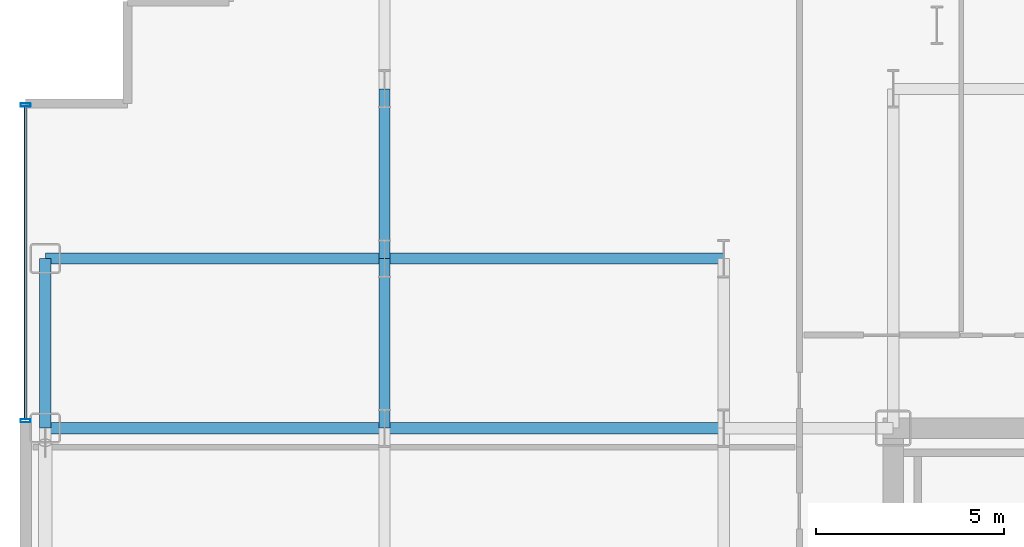
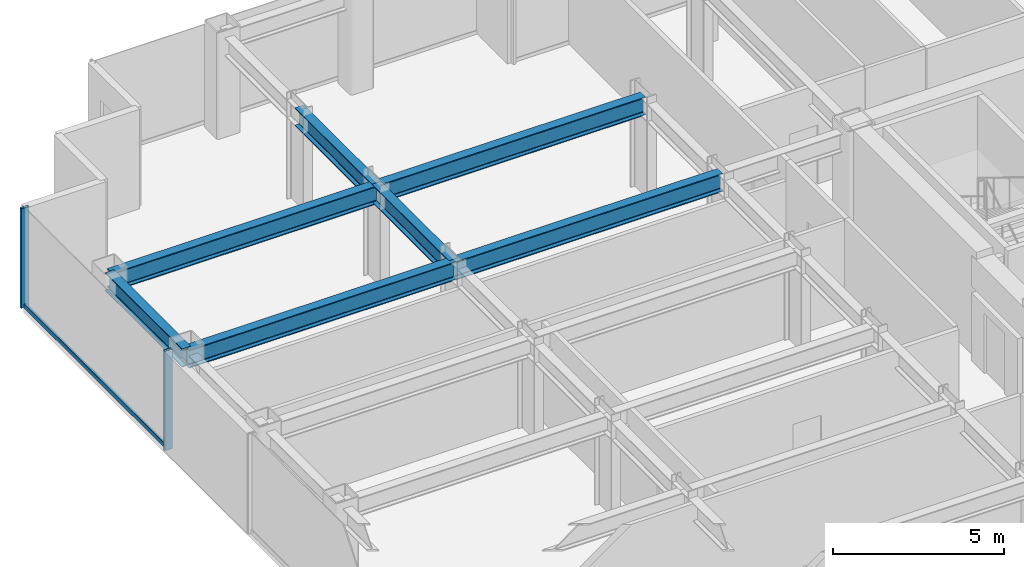
# One storey, part 11 of 29: 7 beams, 3 members, 1 element without a shape of its own.
"""IFC4 building model written with IfcOpenShell, lengths in metres."""

import ifcopenshell
import ifcopenshell.guid

model = None  # the IFC model being written
_history = None  # IfcOwnerHistory: only IFC2X3 demands one
_inside = {}  # id of a spatial element -> (the spatial element, [elements in it])
_under = {}  # id of a project, library or spatial element -> (it, [spatial elements below it])
_declared = {}  # id of a project -> (the project, [libraries it declares])
_typed = {}  # id of a type object -> (the type object, [elements of that type])
_made_of = {}  # id of a material, layer set ... -> (it, [elements and type objects made of it])


def new_model(schema):
    """Start an empty IFC model of exactly this schema.

    Asked for "IFC4X3", IfcOpenShell would pick the latest addendum, in which some entities
    have other attributes; the version numbers below select the first issue.
    IFC2X3 requires an IfcOwnerHistory on every rooted entity: one is made here for all.
    """
    global model, _history
    if schema == "IFC4X3":
        model = ifcopenshell.file(schema_version=(4, 3, 0, 0))
    else:
        model = ifcopenshell.file(schema=schema)
    _inside.clear()
    _under.clear()
    _declared.clear()
    _typed.clear()
    _made_of.clear()
    _history = None
    if model.schema == "IFC2X3":
        org = make("IfcOrganization", Name="unknown")
        user = make(
            "IfcPersonAndOrganization",
            ThePerson=make("IfcPerson", FamilyName="unknown"),
            TheOrganization=org,
        )
        app = make(
            "IfcApplication",
            ApplicationDeveloper=org,
            Version="unknown",
            ApplicationFullName="unknown",
            ApplicationIdentifier="unknown",
        )
        _history = make(
            "IfcOwnerHistory",
            OwningUser=user,
            OwningApplication=app,
            ChangeAction="ADDED",
            CreationDate=0,
        )
    return model


def make(cls, **values):
    """One entity of the class cls with the attributes given. An attribute that is None is left unset."""
    return model.create_entity(
        cls, **{name: value for name, value in values.items() if value is not None}
    )


def rooted(cls, **values):
    """An entity with a GlobalId (a new one), such as an element, a storey or a relation."""
    return make(cls, GlobalId=ifcopenshell.guid.new(), OwnerHistory=_history, **values)


def si_unit(unit_type, name, prefix=None):
    """IfcSIUnit, for example si_unit("LENGTHUNIT", "METRE", prefix="MILLI")."""
    return make("IfcSIUnit", UnitType=unit_type, Prefix=prefix, Name=name)


def assignment(units):
    """IfcUnitAssignment: the units of a project."""
    return None if units is None else make("IfcUnitAssignment", Units=units)


def point(xyz):
    """IfcCartesianPoint."""
    return None if xyz is None else make("IfcCartesianPoint", Coordinates=xyz)


def direction(xyz):
    """IfcDirection."""
    return None if xyz is None else make("IfcDirection", DirectionRatios=xyz)


def frame(location, z_axis=None, x_axis=None):
    """IfcAxis2Placement3D, a coordinate frame: its origin and axes. An axis left out is left unset."""
    return make(
        "IfcAxis2Placement3D",
        Location=point(location),
        Axis=direction(z_axis),
        RefDirection=direction(x_axis),
    )


def frame_2d(location, x_axis=None):
    """IfcAxis2Placement2D, a coordinate frame in the plane: its origin and x axis."""
    return make(
        "IfcAxis2Placement2D", Location=point(location), RefDirection=direction(x_axis)
    )


def origin():
    """The frame at (0, 0, 0) with its axes left unset."""
    return frame((0.0, 0.0, 0.0))


def origin_2d():
    """The frame at (0, 0) in the plane with its x axis left unset."""
    return frame_2d((0.0, 0.0))


def place(relative_to, where):
    """IfcLocalPlacement: puts the frame where relative to a parent placement (None: the world)."""
    return make(
        "IfcLocalPlacement", PlacementRelTo=relative_to, RelativePlacement=where
    )


def context(
    kind, dimensions, precision=None, world=None, true_north=None, identifier=None
):
    """IfcGeometricRepresentationContext, for example the 3D "Model" context."""
    return make(
        "IfcGeometricRepresentationContext",
        ContextIdentifier=identifier,
        ContextType=kind,
        CoordinateSpaceDimension=dimensions,
        Precision=precision,
        WorldCoordinateSystem=world,
        TrueNorth=true_north,
    )


def subcontext(parent, identifier, kind, view, scale=None):
    """IfcGeometricRepresentationSubContext, for example "Body" below "Model"."""
    return make(
        "IfcGeometricRepresentationSubContext",
        ContextIdentifier=identifier,
        ContextType=kind,
        ParentContext=parent,
        TargetScale=scale,
        TargetView=view,
    )


def project(units=None, contexts=None):
    """IfcProject with its units and contexts."""
    return rooted(
        "IfcProject",
        Name="project",
        RepresentationContexts=contexts,
        UnitsInContext=assignment(units),
    )


def spatial(cls, under=None, at=None, **own):
    """A site, building, storey or space (cls), placed at a placement, below another one or the project."""
    s = rooted(cls, ObjectPlacement=at, **own)
    if under is not None:
        _under.setdefault(under.id(), (under, []))[1].append(s)
    return s


def profile(cls, at=None, kind="AREA", **sizes):
    """A parametric profile (cls). Its sizes go by their IFC names, for example OverallWidth=200.0."""
    return make(cls, ProfileType=kind, Position=at, **sizes)


def hollow_rectangle(**sizes):
    """IfcRectangleHollowProfileDef."""
    return profile("IfcRectangleHollowProfileDef", **sizes)


def i_section(**sizes):
    """IfcIShapeProfileDef."""
    return profile("IfcIShapeProfileDef", **sizes)


def extrude(swept, where, along, depth):
    """IfcExtrudedAreaSolid: the profile swept, set in the frame where, extruded along a direction by depth."""
    return make(
        "IfcExtrudedAreaSolid",
        SweptArea=swept,
        Position=where,
        ExtrudedDirection=direction(along),
        Depth=depth,
    )


def shape(context_of_items, identifier, shape_type, items):
    """IfcShapeRepresentation: the items that make up one representation, for example the "Body"."""
    return make(
        "IfcShapeRepresentation",
        ContextOfItems=context_of_items,
        RepresentationIdentifier=identifier,
        RepresentationType=shape_type,
        Items=items,
    )


def source(mapping_origin, context_of_items, identifier, shape_type, items):
    """IfcRepresentationMap: a shape defined once, which mapped items show again and again."""
    return make(
        "IfcRepresentationMap",
        MappingOrigin=mapping_origin,
        MappedRepresentation=shape(context_of_items, identifier, shape_type, items),
    )


def transform(
    local_origin,
    x_axis=None,
    y_axis=None,
    z_axis=None,
    scale=None,
    scale2=None,
    scale3=None,
    uniform=True,
):
    """IfcCartesianTransformationOperator3D, or its non-uniform kind. x_axis, y_axis, z_axis: its Axis1, 2, 3."""
    if uniform:
        return make(
            "IfcCartesianTransformationOperator3D",
            Axis1=direction(x_axis),
            Axis2=direction(y_axis),
            LocalOrigin=point(local_origin),
            Scale=scale,
            Axis3=direction(z_axis),
        )
    return make(
        "IfcCartesianTransformationOperator3DnonUniform",
        Axis1=direction(x_axis),
        Axis2=direction(y_axis),
        LocalOrigin=point(local_origin),
        Scale=scale,
        Axis3=direction(z_axis),
        Scale2=scale2,
        Scale3=scale3,
    )


def mapped(mapping_source, mapping_target):
    """IfcMappedItem: shows the shape of a source again, moved by a transform."""
    return make(
        "IfcMappedItem", MappingSource=mapping_source, MappingTarget=mapping_target
    )


def material(Name=None, Category=None):
    """IfcMaterial."""
    return make("IfcMaterial", Name=Name, Category=Category)


def layer(
    of_material, thickness, ventilated=None, Name=None, Category=None, Priority=None
):
    """IfcMaterialLayer: one layer of a wall or slab, of a material (None: an air gap)."""
    return make(
        "IfcMaterialLayer",
        Material=of_material,
        LayerThickness=thickness,
        IsVentilated=ventilated,
        Name=Name,
        Category=Category,
        Priority=Priority,
    )


def layer_set(layers, Name=None):
    """IfcMaterialLayerSet."""
    return make("IfcMaterialLayerSet", MaterialLayers=layers, LayerSetName=Name)


def material_profile(
    of_material, cross_section, Name=None, Category=None, Priority=None
):
    """IfcMaterialProfile: a cross section and its material."""
    return make(
        "IfcMaterialProfile",
        Name=Name,
        Material=of_material,
        Profile=cross_section,
        Priority=Priority,
        Category=Category,
    )


def profile_set(profiles, Name=None, composite=None):
    """IfcMaterialProfileSet."""
    return make(
        "IfcMaterialProfileSet",
        Name=Name,
        MaterialProfiles=profiles,
        CompositeProfile=composite,
    )


def made_of(thing, what):
    """Note that an element or type object is made of a material, layer set ...; save() writes the relation."""
    if what is not None:
        _made_of.setdefault(what.id(), (what, []))[1].append(thing)
    return thing


def type_object(cls, material=None, **own):
    """A type object (cls), such as IfcWallType, which elements share."""
    return made_of(rooted(cls, **own), material)


def element(
    cls,
    number,
    at=None,
    inside=None,
    cuts=None,
    type_object=None,
    material=None,
    context=None,
    identifier="Body",
    shape_type=None,
    held_by="IfcProductDefinitionShape",
    body=None,
    shapes=None,
    **own,
):
    """One element of the class cls, such as IfcWall. Its Tag is "e" and its number.

    at: its placement. inside: the storey or other place that contains it. cuts: it is an
    opening in that element (IfcRelVoidsElement). A single representation is given by context,
    identifier, shape_type and body (its items); several are given by shapes. held_by: the class
    of the entity that holds the representations. save() writes the other relations.
    """
    e = rooted(cls, Tag="e%d" % number, ObjectPlacement=at, **own)
    if body is not None:
        shapes = [shape(context, identifier, shape_type, body)]
    if shapes is not None:
        e.Representation = make(held_by, Representations=shapes)
    if inside is not None:
        _inside.setdefault(inside.id(), (inside, []))[1].append(e)
    if cuts is not None:
        rooted(
            "IfcRelVoidsElement", RelatingBuildingElement=cuts, RelatedOpeningElement=e
        )
    if type_object is not None:
        _typed.setdefault(type_object.id(), (type_object, []))[1].append(e)
    return made_of(e, material)


def aggregate(whole, parts):
    """IfcRelAggregates: a whole, such as a stair, and the parts it consists of."""
    return rooted("IfcRelAggregates", RelatingObject=whole, RelatedObjects=parts)


def save(model, path):
    """Write the relations noted so far, then the file.

    IfcRelAggregates (storeys below a building ...), IfcRelContainedInSpatialStructure (elements
    in a storey), IfcRelDefinesByType, IfcRelAssociatesMaterial and IfcRelDeclares: one each for
    every whole, place, type object, material and project.
    """
    for whole, parts in _under.values():
        aggregate(whole, parts)
    for where, things in _inside.values():
        rooted(
            "IfcRelContainedInSpatialStructure",
            RelatedElements=things,
            RelatingStructure=where,
        )
    for kind, things in _typed.values():
        rooted("IfcRelDefinesByType", RelatedObjects=things, RelatingType=kind)
    for what, things in _made_of.values():
        rooted("IfcRelAssociatesMaterial", RelatedObjects=things, RelatingMaterial=what)
    for by, libraries in _declared.values():
        rooted("IfcRelDeclares", RelatingContext=by, RelatedDefinitions=libraries)
    model.write(path)


model = new_model("IFC4")

# Units and contexts
model_context = context("Model", 3, precision=1e-05, world=origin(), true_north=direction((0.0, 1.0)))
body_context = subcontext(model_context, "Body", "Model", "MODEL_VIEW")
ifc_project = project(units=[si_unit("LENGTHUNIT", "METRE"), si_unit("AREAUNIT", "SQUARE_METRE"), si_unit("VOLUMEUNIT", "CUBIC_METRE"), si_unit("PLANEANGLEUNIT", "RADIAN"), si_unit("MASSUNIT", "GRAM", prefix="KILO")], contexts=[model_context])

# Site, building, storey
site_placement = place(None, origin())
site = spatial("IfcSite", under=ifc_project, at=site_placement, CompositionType="ELEMENT")
building_placement = place(site_placement, origin())
building = spatial("IfcBuilding", under=site, at=building_placement, Name="Nefas-Gora Pilgrimage Tower", CompositionType="ELEMENT")
storey_placement = place(building_placement, frame((0.0, 0.0, 113.60009765625)))
storey = spatial("IfcBuildingStorey", under=building, at=storey_placement, Name="L27", CompositionType="ELEMENT", Elevation=113.60009765625)

# Beams
ifc_material_1 = material(Name="Steel S355", Category="steel")
ifc_material_profile_1 = material_profile(ifc_material_1, i_section(OverallWidth=0.300048828125, OverallDepth=0.64990234375, WebThickness=0.01611328125, FlangeThickness=0.031005859375, FilletRadius=0.027099609375, at=origin_2d()), Name="HEB 650")
ifc_profile_set_1 = profile_set([ifc_material_profile_1], Name="Steel S355")
beam_type_1 = type_object("IfcBeamType", Name="BM-SPN-HEB500", PredefinedType="SPANDREL", material=ifc_profile_set_1)
shared_shape_1 = source(origin(), body_context, "Body", "SweptSolid", [
    extrude(i_section(OverallWidth=0.300048828125, OverallDepth=0.64990234375, WebThickness=0.01611328125, FlangeThickness=0.031005859375, FilletRadius=0.027099609375, at=origin_2d()), origin(), (0.0, 0.0, 1.0), 4.5),
])
beam_placement = place(storey_placement, frame((-33.75, 9.0, 3.224853515625), z_axis=(0.0, 1.0, 0.0), x_axis=(-1.0, 0.0, 0.0)))
element("IfcBeam", 1, at=beam_placement, inside=storey, type_object=beam_type_1, Name="L27 SP-02 beam", PredefinedType="SPANDREL", context=body_context, shape_type="MappedRepresentation", body=[
    mapped(shared_shape_1, transform((0.0, 0.0, 0.0), x_axis=(1.0, 0.0, 0.0), y_axis=(0.0, 1.0, 0.0), z_axis=(0.0, 0.0, 1.0), scale=1.0)),
])
ifc_material_profile_2 = material_profile(ifc_material_1, i_section(OverallWidth=0.300048828125, OverallDepth=0.64990234375, WebThickness=0.01611328125, FlangeThickness=0.031005859375, FilletRadius=0.027099609375, at=origin_2d()), Name="HEB 650")
ifc_profile_set_2 = profile_set([ifc_material_profile_2], Name="Steel S355")
beam_type_2 = type_object("IfcBeamType", Name="BM-GIR-HEB650", PredefinedType="BEAM", material=ifc_profile_set_2)
shared_shape_2 = source(origin(), body_context, "Body", "SweptSolid", [
    extrude(i_section(OverallWidth=0.300048828125, OverallDepth=0.64990234375, WebThickness=0.01611328125, FlangeThickness=0.031005859375, FilletRadius=0.027099609375, at=origin_2d()), origin(), (0.0, 0.0, 1.0), 9.0),
])
for number, where, z_axis, x_axis, name in (
    (2, (-33.75, 9.0, 3.224853515625), (1.0, 0.0, 0.0), (0.0, 1.0, 0.0), "L27 G-03 beam"),
    (3, (-33.75, 13.5, 3.224853515625), (1.0, 0.0, 0.0), (0.0, 1.0, 0.0), "L27 G-03 beam"),
    (4, (-24.75, 9.0, 3.224853515625), (1.0, 0.0, 0.0), (0.0, 1.0, 0.0), "L27 G-03 beam"),
    (5, (-24.75, 13.5, 3.224853515625), (1.0, 0.0, 0.0), (0.0, 1.0, 0.0), "L27 G-03 beam"),
):
    element("IfcBeam", number, at=place(storey_placement, frame(where, z_axis=z_axis, x_axis=x_axis)), inside=storey, type_object=beam_type_2, Name=name, PredefinedType="BEAM", context=body_context, shape_type="MappedRepresentation", body=[
        mapped(shared_shape_2, transform((0.0, 0.0, 0.0), x_axis=(1.0, 0.0, 0.0), y_axis=(0.0, 1.0, 0.0), z_axis=(0.0, 0.0, 1.0), scale=1.0)),
    ])
shared_shape_3 = source(origin(), body_context, "Body", "SweptSolid", [
    extrude(i_section(OverallWidth=0.300048828125, OverallDepth=0.64990234375, WebThickness=0.01611328125, FlangeThickness=0.031005859375, FilletRadius=0.027099609375, at=origin_2d()), origin(), (0.0, 0.0, 1.0), 4.5),
])
for number, where, z_axis, x_axis, name in (
    (6, (-24.75, 9.0, 3.224853515625), (0.0, 1.0, 0.0), (-1.0, 0.0, 0.0), "L27 G-03 beam"),
    (7, (-24.75, 13.5, 3.224853515625), (0.0, 1.0, 0.0), (-1.0, 0.0, 0.0), "L27 G-03 beam"),
):
    element("IfcBeam", number, at=place(storey_placement, frame(where, z_axis=z_axis, x_axis=x_axis)), inside=storey, type_object=beam_type_2, Name=name, PredefinedType="BEAM", context=body_context, shape_type="MappedRepresentation", body=[
        mapped(shared_shape_3, transform((0.0, 0.0, 0.0), x_axis=(1.0, 0.0, 0.0), y_axis=(0.0, 1.0, 0.0), z_axis=(0.0, 0.0, 1.0), scale=1.0)),
    ])

# Curtain wall, members
ifc_material_2 = material(Name="Dark ceramic-fritted solar-control aluminium-glass curtain wall", Category="aluminium")
ifc_layer = layer(ifc_material_2, 0.219970703125)
ifc_layer_set = layer_set([ifc_layer], Name="Dark ceramic-fritted solar-control aluminium-glass curtain wall")
curtain_wall_type = type_object("IfcCurtainWallType", Name="CW-SYS-2", PredefinedType="NOTDEFINED", material=ifc_layer_set)
curtain_wall_placement = place(storey_placement, origin())
curtain_wall = element("IfcCurtainWall", 8, at=curtain_wall_placement, inside=storey, type_object=curtain_wall_type, Name="L27 Unitised Curtain Wall CW2", PredefinedType="NOTDEFINED")
ifc_material_3 = material(Name="Anodised architectural aluminium", Category="aluminium")
ifc_material_profile_3 = material_profile(ifc_material_3, hollow_rectangle(XDim=0.080078125, YDim=0.159912109375, WallThickness=0.00439453125, InnerFilletRadius=0.00439453125, OuterFilletRadius=0.009033203125, at=origin_2d()), Name="ALU TRANSOM 80x160")
ifc_profile_set_3 = profile_set([ifc_material_profile_3], Name="Anodised architectural aluminium")
member_type_1 = type_object("IfcMemberType", Name="CWM-TRN-2", PredefinedType="USERDEFINED", material=ifc_profile_set_3)
shared_shape_4 = source(origin(), body_context, "Body", "SweptSolid", [
    extrude(hollow_rectangle(XDim=0.080078125, YDim=0.159912109375, WallThickness=0.00439453125, InnerFilletRadius=0.00439453125, OuterFilletRadius=0.009033203125, at=origin_2d()), origin(), (0.0, 0.0, 1.0), 8.2900390625),
])
member_1_placement = place(storey_placement, frame((-34.27001953125, 17.530029296875, 0.0498046875), z_axis=(0.0, -1.0, 0.0), x_axis=(1.0, 0.0, 0.0)))
member_1 = element("IfcMember", 9, at=member_1_placement, type_object=member_type_1, Name="CW2 Spandrel Transom", ObjectType="TRANSOM", PredefinedType="USERDEFINED", context=body_context, shape_type="MappedRepresentation", body=[
    mapped(shared_shape_4, transform((0.0, 0.0, 0.0), x_axis=(1.0, 0.0, 0.0), y_axis=(0.0, 1.0, 0.0), z_axis=(0.0, 0.0, 1.0), scale=1.0)),
])
ifc_material_profile_4 = material_profile(ifc_material_3, hollow_rectangle(XDim=0.090087890625, YDim=0.260009765625, WallThickness=0.006103515625, InnerFilletRadius=0.006103515625, OuterFilletRadius=0.011962890625, at=origin_2d()), Name="ALU MULLION 90x260")
ifc_profile_set_4 = profile_set([ifc_material_profile_4], Name="Anodised architectural aluminium")
member_type_2 = type_object("IfcMemberType", Name="CWM-MUL-2", PredefinedType="MULLION", material=ifc_profile_set_4)
shared_shape_5 = source(origin(), body_context, "Body", "SweptSolid", [
    extrude(hollow_rectangle(XDim=0.090087890625, YDim=0.260009765625, WallThickness=0.006103515625, InnerFilletRadius=0.006103515625, OuterFilletRadius=0.011962890625, at=origin_2d()), origin(), (0.0, 0.0, 1.0), 3.5498046875),
])
member_2_placement = place(storey_placement, frame((-34.27001953125, 17.574951171875, 0.0), z_axis=(0.0, 0.0, 1.0), x_axis=(0.0, -1.0, 0.0)))
member_2 = element("IfcMember", 10, at=member_2_placement, type_object=member_type_2, Name="CW2 Mullion 1", PredefinedType="MULLION", context=body_context, shape_type="MappedRepresentation", body=[
    mapped(shared_shape_5, transform((0.0, 0.0, 0.0), x_axis=(1.0, 0.0, 0.0), y_axis=(0.0, 1.0, 0.0), z_axis=(0.0, 0.0, 1.0), scale=1.0)),
])
member_3_placement = place(storey_placement, frame((-34.27001953125, 9.195068359375, 0.0), z_axis=(0.0, 0.0, 1.0), x_axis=(0.0, -1.0, 0.0)))
member_3 = element("IfcMember", 11, at=member_3_placement, type_object=member_type_2, Name="CW2 Mullion 2", PredefinedType="MULLION", context=body_context, shape_type="MappedRepresentation", body=[
    mapped(shared_shape_5, transform((0.0, 0.0, 0.0), x_axis=(1.0, 0.0, 0.0), y_axis=(0.0, 1.0, 0.0), z_axis=(0.0, 0.0, 1.0), scale=1.0)),
])
aggregate(curtain_wall, [member_2, member_3, member_1])

save(model, "model.ifc")
